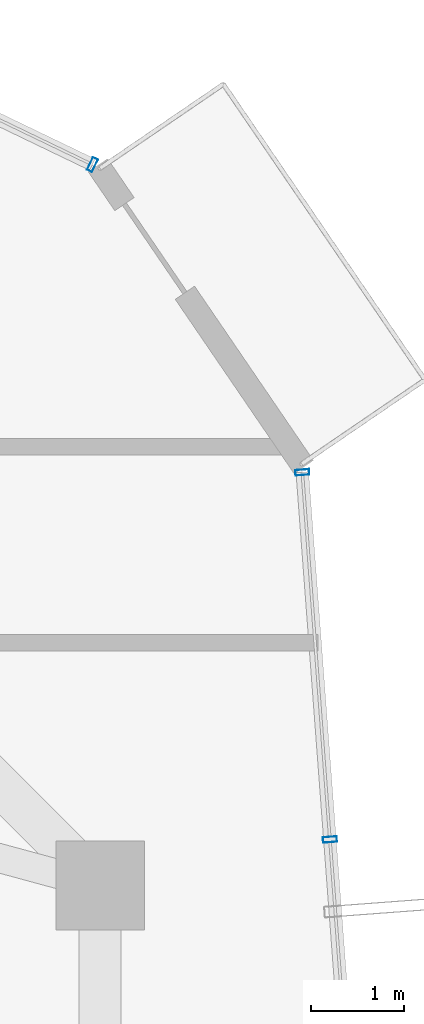
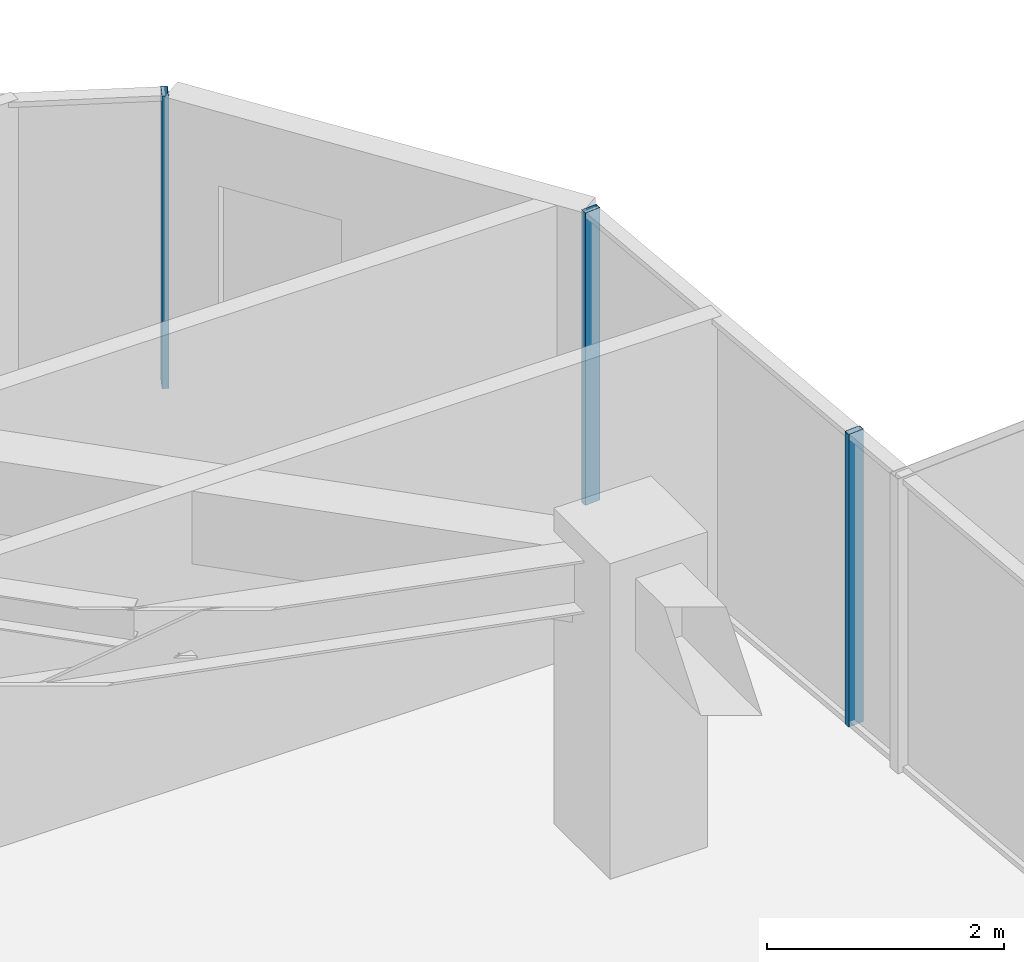
# One storey, part 22 of 34: 3 members, 2 elements without a shape of their own.
"""IFC4 building model written with IfcOpenShell, lengths in metres."""

from ifc_helpers import new_model, si_unit, direction, frame, origin, origin_2d, place, context, subcontext, project, spatial, hollow_rectangle, extrude, source, transform, mapped, material, layer, layer_set, material_profile, profile_set, type_object, element, aggregate, save


model = new_model("IFC4")

# Units and contexts
model_context = context("Model", 3, precision=1e-05, world=origin(), true_north=direction((0.0, 1.0)))
body_context = subcontext(model_context, "Body", "Model", "MODEL_VIEW")
ifc_project = project(units=[si_unit("LENGTHUNIT", "METRE"), si_unit("AREAUNIT", "SQUARE_METRE"), si_unit("VOLUMEUNIT", "CUBIC_METRE"), si_unit("PLANEANGLEUNIT", "RADIAN"), si_unit("MASSUNIT", "GRAM", prefix="KILO")], contexts=[model_context])

# Site, building, storey
site_placement = place(None, origin())
site = spatial("IfcSite", under=ifc_project, at=site_placement, CompositionType="ELEMENT")
building_placement = place(site_placement, origin())
building = spatial("IfcBuilding", under=site, at=building_placement, Name="Veraguas Prism Commons", CompositionType="ELEMENT")
storey_placement = place(building_placement, frame((0.0, 0.0, 191.85009765625)))
storey = spatial("IfcBuildingStorey", under=building, at=storey_placement, Name="L54", CompositionType="ELEMENT", Elevation=191.85009765625)

# Curtain wall, member
ifc_material = material(Name="Anodised aluminium EN AW-6063 T6", Category="aluminium")
ifc_layer = layer(ifc_material, 0.14990234375, Name="Unitised Flush Curtain Wall Zone 3", Category="aluminium")
ifc_layer_set = layer_set([ifc_layer], Name="Anodised aluminium EN AW-6063 T6")
curtain_wall_type = type_object("IfcCurtainWallType", Name="Unitised Flush Curtain Wall Zone 3", PredefinedType="NOTDEFINED", material=ifc_layer_set)
curtain_wall_1_placement = place(storey_placement, origin())
curtain_wall_1 = element("IfcCurtainWall", 1, at=curtain_wall_1_placement, inside=storey, type_object=curtain_wall_type, Name="Tower Facade Curtain Wall L54-F1", PredefinedType="NOTDEFINED")
ifc_material_profile = material_profile(ifc_material, hollow_rectangle(XDim=0.06005859375, YDim=0.14990234375, WallThickness=0.0029296875, at=origin_2d()), Name="AL60X150X3")
ifc_profile_set = profile_set([ifc_material_profile], Name="Anodised aluminium EN AW-6063 T6")
member_type = type_object("IfcMemberType", Name="Curtain Wall Mullion Upper AL 60x150x3", PredefinedType="MULLION", material=ifc_profile_set)
shared_shape = source(origin(), body_context, "Body", "SweptSolid", [
    extrude(hollow_rectangle(XDim=0.06005859375, YDim=0.14990234375, WallThickness=0.0029296875, at=origin_2d()), origin(), (0.0, 0.0, 1.0), 3.014892578125),
])
member_1_placement = place(storey_placement, frame((38.81787109375, 36.523193359375, 0.0), z_axis=(0.0, 0.0, 1.0), x_axis=(-0.901073993789, 0.433665375281, 0.0)))
member_1 = element("IfcMember", 2, at=member_1_placement, type_object=member_type, Name="CW-Z3 Mullion 1", PredefinedType="MULLION", context=body_context, shape_type="MappedRepresentation", body=[
    mapped(shared_shape, transform((0.0, 0.0, 0.0), scale=1.0)),
])
aggregate(curtain_wall_1, [member_1])

# Curtain wall, members
curtain_wall_2_placement = place(storey_placement, origin())
curtain_wall_2 = element("IfcCurtainWall", 3, at=curtain_wall_2_placement, inside=storey, type_object=curtain_wall_type, Name="Tower Facade Curtain Wall L54-F6", PredefinedType="NOTDEFINED")
member_2_placement = place(storey_placement, frame((41.3623046875, 29.292236328125, 0.0), z_axis=(0.0, 0.0, 1.0), x_axis=(-0.074975245993, 0.997185395244, 0.0)))
member_2 = element("IfcMember", 4, at=member_2_placement, type_object=member_type, Name="CW-Z3 Mullion 4", PredefinedType="MULLION", context=body_context, shape_type="MappedRepresentation", body=[
    mapped(shared_shape, transform((0.0, 0.0, 0.0), scale=1.0)),
])
member_3_placement = place(storey_placement, frame((41.06640625, 33.226806640625, 0.0), z_axis=(0.0, 0.0, 1.0), x_axis=(-0.074975245993, 0.997185395244, 0.0)))
member_3 = element("IfcMember", 5, at=member_3_placement, type_object=member_type, Name="CW-Z3 Mullion 5", PredefinedType="MULLION", context=body_context, shape_type="MappedRepresentation", body=[
    mapped(shared_shape, transform((0.0, 0.0, 0.0), scale=1.0)),
])
aggregate(curtain_wall_2, [member_2, member_3])

save(model, "model.ifc")
